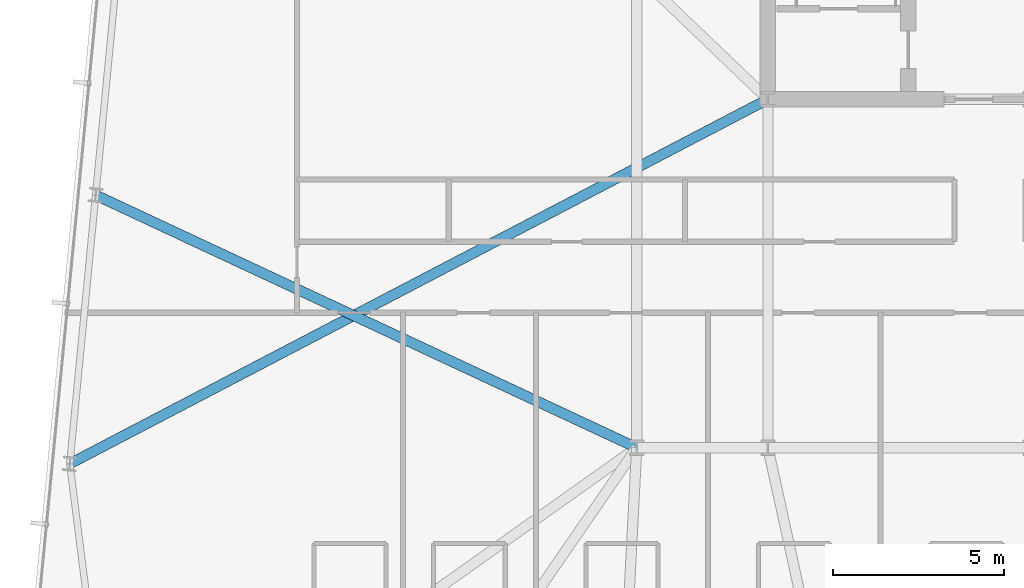
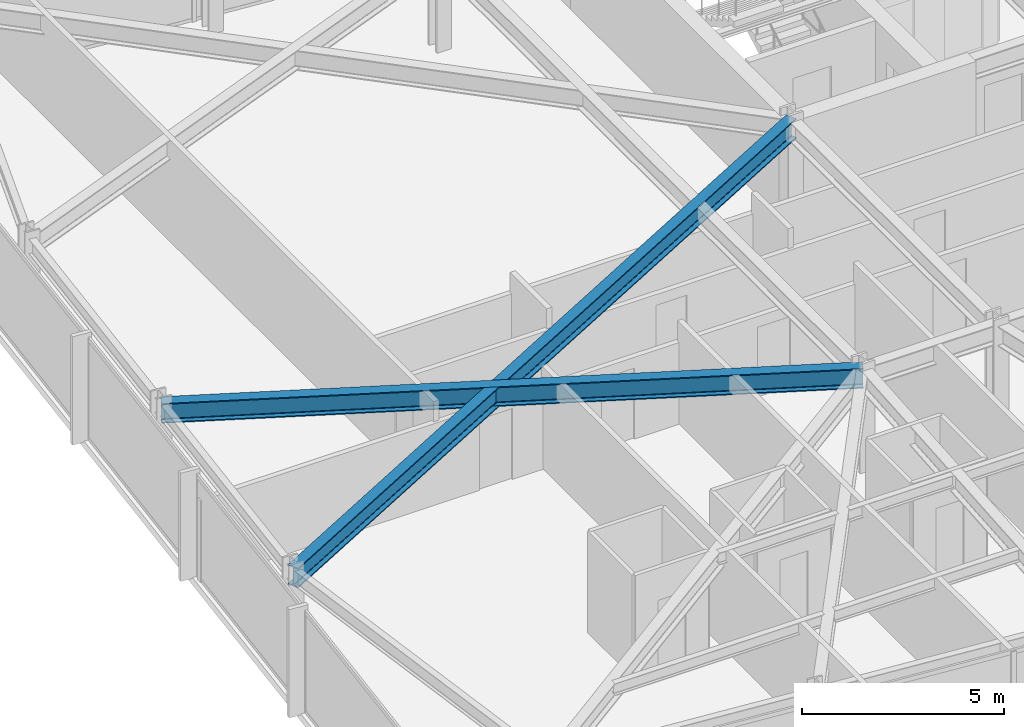
# One storey, part 9 of 38: 2 beams.
"""IFC4 building model written with IfcOpenShell, lengths in metres."""

from ifc_helpers import new_model, si_unit, direction, frame, origin, origin_2d, place, context, subcontext, project, spatial, i_section, extrude, material, material_profile, profile_set, type_object, element, save


model = new_model("IFC4")

# Units and contexts
model_context = context("Model", 3, precision=1e-05, world=origin(), true_north=direction((0.0, 1.0)))
body_context = subcontext(model_context, "Body", "Model", "MODEL_VIEW")
ifc_project = project(units=[si_unit("LENGTHUNIT", "METRE"), si_unit("AREAUNIT", "SQUARE_METRE"), si_unit("VOLUMEUNIT", "CUBIC_METRE"), si_unit("PLANEANGLEUNIT", "RADIAN"), si_unit("MASSUNIT", "GRAM", prefix="KILO")], contexts=[model_context])

# Site, building, storey
site_placement = place(None, origin())
site = spatial("IfcSite", under=ifc_project, at=site_placement, CompositionType="ELEMENT")
building_placement = place(site_placement, origin())
building = spatial("IfcBuilding", under=site, at=building_placement, Name="Yelkora Congress Tower", CompositionType="ELEMENT")
storey_placement = place(building_placement, frame((0.0, 0.0, 178.699951171875)))
storey = spatial("IfcBuildingStorey", under=building, at=storey_placement, Name="L49", CompositionType="ELEMENT", Elevation=178.699951171875)

# Beams
ifc_material = material(Name="Steel S355J2", Category="steel")
ifc_material_profile = material_profile(ifc_material, i_section(OverallWidth=0.300048828125, OverallDepth=0.60009765625, WebThickness=0.015380859375, FlangeThickness=0.030029296875, FilletRadius=0.027099609375, at=origin_2d()), Name="HEB 600")
ifc_profile_set = profile_set([ifc_material_profile], Name="Steel S355J2")
beam_type = type_object("IfcBeamType", Name="BM-GIRD-HEB600", PredefinedType="BEAM", material=ifc_profile_set)
beam_1_placement = place(storey_placement, frame((2.607421875, 24.730712890625, 2.780029296875), z_axis=(0.886430124978, 0.462862434781, 0.0), x_axis=(-0.462862434781, 0.886430124978, 0.0)))
element("IfcBeam", 1, at=beam_1_placement, inside=storey, type_object=beam_type, Name="L49 Primary Frame Girder W01", PredefinedType="BEAM", context=body_context, shape_type="SweptSolid", body=[
    extrude(i_section(OverallWidth=0.300048828125, OverallDepth=0.60009765625, WebThickness=0.015380859375, FlangeThickness=0.030029296875, FilletRadius=0.027099609375, at=origin_2d()), origin(), (0.0, 0.0, 1.0), 23.050537109375),
])
beam_2_placement = place(storey_placement, frame((3.364501953125, 32.594482421875, 2.780029296875), z_axis=(0.906081045456, -0.423104170466, 0.0), x_axis=(0.423104170466, 0.906081045456, 0.0)))
element("IfcBeam", 2, at=beam_2_placement, inside=storey, type_object=beam_type, Name="L49 Primary Frame Girder W02", PredefinedType="BEAM", context=body_context, shape_type="SweptSolid", body=[
    extrude(i_section(OverallWidth=0.300048828125, OverallDepth=0.60009765625, WebThickness=0.015380859375, FlangeThickness=0.030029296875, FilletRadius=0.027099609375, at=origin_2d()), origin(), (0.0, 0.0, 1.0), 17.476806640625),
])

save(model, "model.ifc")
